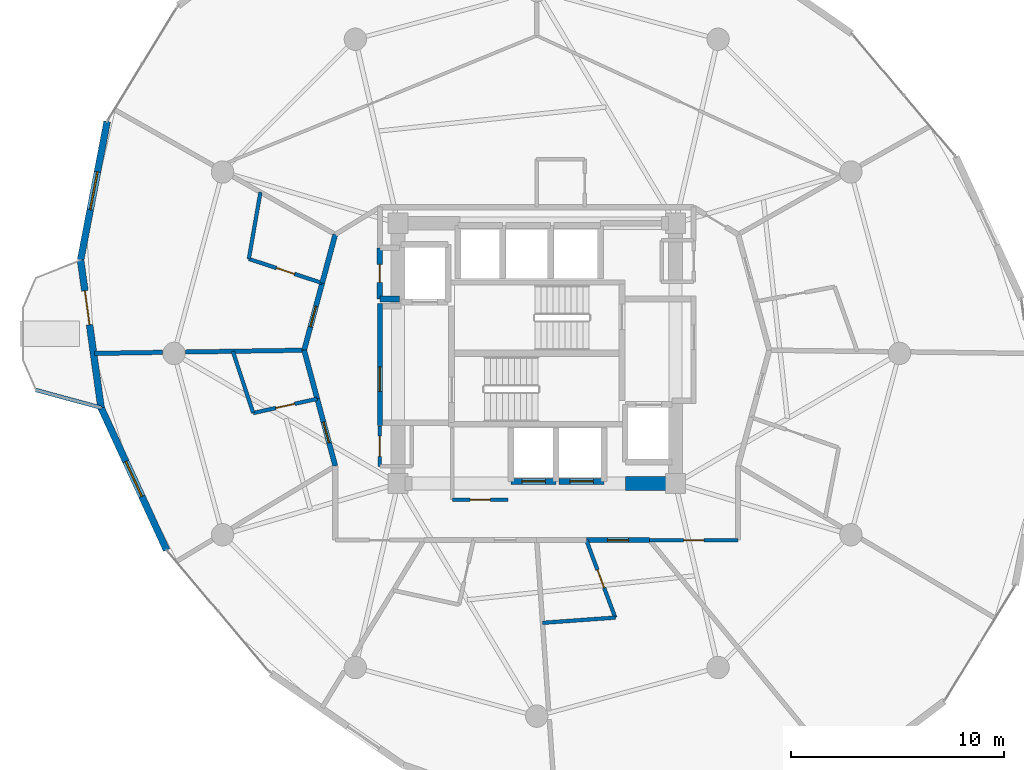
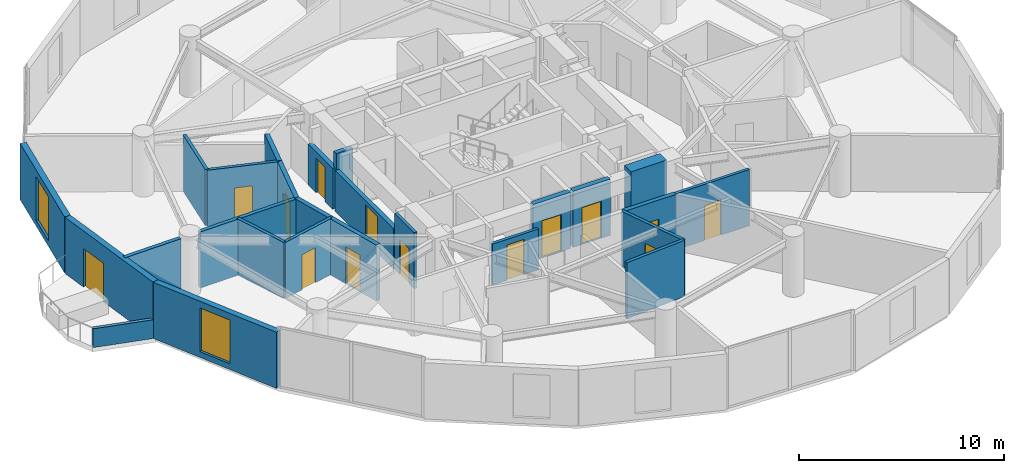
# One storey, part 18 of 23: 26 walls, 14 doors, 2 windows, 16 openings.
"""IFC4 building model written with IfcOpenShell, lengths in metres."""

from ifc_helpers import new_model, si_unit, direction, frame, frame_2d, origin, place, context, subcontext, project, spatial, rectangle, extrude, material, layer, layer_set, type_object, element, fill, save


model = new_model("IFC4")

# Units and contexts
model_context = context("Model", 3, precision=1e-05, world=origin(), true_north=direction((0.0, 1.0)))
body_context = subcontext(model_context, "Body", "Model", "MODEL_VIEW")
ifc_project = project(units=[si_unit("LENGTHUNIT", "METRE"), si_unit("AREAUNIT", "SQUARE_METRE"), si_unit("VOLUMEUNIT", "CUBIC_METRE"), si_unit("PLANEANGLEUNIT", "RADIAN"), si_unit("MASSUNIT", "GRAM", prefix="KILO")], contexts=[model_context])

# Site, building, storey
site_placement = place(None, origin())
site = spatial("IfcSite", under=ifc_project, at=site_placement, CompositionType="ELEMENT")
building_placement = place(site_placement, origin())
building = spatial("IfcBuilding", under=site, at=building_placement, Name="Solvirekh Grand Hotel", CompositionType="ELEMENT")
storey_placement = place(building_placement, frame((0.0, 0.0, 138.60009765625)))
storey = spatial("IfcBuildingStorey", under=building, at=storey_placement, Name="L35", CompositionType="ELEMENT", Elevation=138.60009765625)

# Wall, opening, door
ifc_material_1 = material(Name="Concrete C40/50", Category="concrete")
ifc_layer_1 = layer(ifc_material_1, 0.280029296875)
ifc_layer_set_1 = layer_set([ifc_layer_1], Name="Concrete C40/50")
wall_type_1 = type_object("IfcWallType", Name="CoreShaftWall_RC280", PredefinedType="SOLIDWALL", material=ifc_layer_set_1)
wall_1_placement = place(storey_placement, frame((-1.199951171875, -6.0, 0.0), z_axis=(0.0, 0.0, 1.0), x_axis=(1.0, 0.0, 0.0)))
wall_1 = element("IfcWall", 1, at=wall_1_placement, inside=storey, type_object=wall_type_1, Name="L35 MP-1 hoistway S wall", PredefinedType="SOLIDWALL", context=body_context, shape_type="SweptSolid", body=[
    extrude(rectangle(XDim=2.099853515625, YDim=0.280029296875, at=frame_2d((1.0498046875, 0.0))), origin(), (0.0, 0.0, 1.0), 3.349853515625),
])
opening_1_placement = place(wall_1_placement, frame((0.5, 0.0, 0.0)))
opening_1 = element("IfcOpeningElement", 2, at=opening_1_placement, cuts=wall_1, Name="Opening LD01", PredefinedType="OPENING", context=body_context, shape_type="SweptSolid", body=[
    extrude(rectangle(XDim=1.10009765625, YDim=2.199951171875, at=frame_2d((0.550048828125, 1.10009765625))), frame((0.0, 0.14990234375, 0.0), z_axis=(0.0, -1.0, 0.0), x_axis=(1.0, 0.0, 0.0)), (0.0, 0.0, 1.0), 0.300048828125),
])
ifc_material_2 = material(Name="Fire-Rated Steel Door Assembly", Category="steel")
door_type_1 = type_object("IfcDoorType", Name="Door_LiftLanding_1100X2200", OperationType="SLIDING_TO_LEFT", PredefinedType="DOOR", material=ifc_material_2)
door_1_placement = place(opening_1_placement, origin())
door_1 = element("IfcDoor", 3, at=door_1_placement, inside=storey, type_object=door_type_1, Name="L35 MP-1 sliding lift landing door", OperationType="SLIDING_TO_LEFT", OverallHeight=2.199951171875, OverallWidth=1.10009765625, PredefinedType="DOOR", context=body_context, shape_type="SweptSolid", body=[
    extrude(rectangle(XDim=1.10009765625, YDim=2.199951171875, at=frame_2d((0.550048828125, 1.10009765625))), frame((0.0, 0.02490234375, 0.0), z_axis=(0.0, -1.0, 0.0), x_axis=(1.0, 0.0, 0.0)), (0.0, 0.0, 1.0), 0.050048828125),
])
fill(opening_1, door_1)

wall_2_placement = place(storey_placement, frame((1.050048828125, -6.0, 0.0), z_axis=(0.0, 0.0, 1.0), x_axis=(1.0, 0.0, 0.0)))
wall_2 = element("IfcWall", 4, at=wall_2_placement, inside=storey, type_object=wall_type_1, Name="L35 MP-2 hoistway S wall", PredefinedType="SOLIDWALL", context=body_context, shape_type="SweptSolid", body=[
    extrude(rectangle(XDim=2.099853515625, YDim=0.280029296875, at=frame_2d((1.0498046875, 0.0))), origin(), (0.0, 0.0, 1.0), 3.349853515625),
])
opening_2_placement = place(wall_2_placement, frame((0.5, 0.0, 0.0)))
opening_2 = element("IfcOpeningElement", 5, at=opening_2_placement, cuts=wall_2, Name="Opening LD01", PredefinedType="OPENING", context=body_context, shape_type="SweptSolid", body=[
    extrude(rectangle(XDim=1.10009765625, YDim=2.199951171875, at=frame_2d((0.550048828125, 1.10009765625))), frame((0.0, 0.14990234375, 0.0), z_axis=(0.0, -1.0, 0.0), x_axis=(1.0, 0.0, 0.0)), (0.0, 0.0, 1.0), 0.300048828125),
])
door_2_placement = place(opening_2_placement, origin())
door_2 = element("IfcDoor", 6, at=door_2_placement, inside=storey, type_object=door_type_1, Name="L35 MP-2 sliding lift landing door", OperationType="SLIDING_TO_LEFT", OverallHeight=2.199951171875, OverallWidth=1.10009765625, PredefinedType="DOOR", context=body_context, shape_type="SweptSolid", body=[
    extrude(rectangle(XDim=1.10009765625, YDim=2.199951171875, at=frame_2d((0.550048828125, 1.10009765625))), frame((0.0, 0.02490234375, 0.0), z_axis=(0.0, -1.0, 0.0), x_axis=(1.0, 0.0, 0.0)), (0.0, 0.0, 1.0), 0.050048828125),
])
fill(opening_2, door_2)

# Wall
ifc_material_3 = material(Name="Concrete C50/60", Category="concrete")
ifc_layer_2 = layer(ifc_material_3, 0.64990234375)
ifc_layer_set_2 = layer_set([ifc_layer_2], Name="Concrete C50/60")
wall_type_2 = type_object("IfcWallType", Name="CoreWall_RC650", PredefinedType="SHEAR", material=ifc_layer_set_2)
wall_3_placement = place(storey_placement, frame((4.14990234375, -6.10009765625, 0.0), z_axis=(0.0, 0.0, 1.0), x_axis=(1.0, 0.0, 0.0)))
element("IfcWall", 7, at=wall_3_placement, inside=storey, type_object=wall_type_2, Name="L35 core corner shear wall SE-S", PredefinedType="SHEAR", context=body_context, shape_type="SweptSolid", body=[
    extrude(rectangle(XDim=2.025146484375, YDim=0.64990234375, at=frame_2d((1.0126953125, 0.0))), origin(), (0.0, 0.0, 1.0), 3.599853515625),
])

# Wall, opening, window
ifc_material_4 = material(Name="Precast concrete C45/55", Category="concrete")
ifc_layer_3 = layer(ifc_material_4, 0.320068359375)
ifc_layer_set_3 = layer_set([ifc_layer_3], Name="Precast concrete C45/55")
wall_type_3 = type_object("IfcWallType", Name="ExtLobbyWall_RC320", PredefinedType="SOLIDWALL", material=ifc_layer_set_3)
wall_4_placement = place(storey_placement, frame((-21.3759765625, 4.3759765625, 0.0), z_axis=(0.0, 0.0, 1.0), x_axis=(0.188236683123, 0.982123694413, 0.0)))
wall_4 = element("IfcWall", 8, at=wall_4_placement, inside=storey, type_object=wall_type_3, Name="L35 exterior structural wall chord 12", PredefinedType="SOLIDWALL", context=body_context, shape_type="SweptSolid", body=[
    extrude(rectangle(XDim=6.61328125, YDim=0.320068359375, at=frame_2d((3.306640625, 0.0))), origin(), (0.0, 0.0, 1.0), 3.349853515625),
])
opening_3_placement = place(wall_4_placement, frame((2.406982421875, 0.0, 0.35009765625)))
opening_3 = element("IfcOpeningElement", 9, at=opening_3_placement, cuts=wall_4, Name="Opening W02", PredefinedType="OPENING", context=body_context, shape_type="SweptSolid", body=[
    extrude(rectangle(XDim=1.800048828125, YDim=2.60009765625, at=frame_2d((0.89990234375, 1.300048828125))), frame((0.0, 0.169921875, 0.0), z_axis=(0.0, -1.0, 0.0), x_axis=(1.0, 0.0, 0.0)), (0.0, 0.0, 1.0), 0.340087890625),
])
ifc_material_5 = material(Name="Low-E Tinted Bronze Laminated Glass", Category="aluminium")
window_type = type_object("IfcWindowType", Name="Win_LobbyExt_1800X2600", PartitioningType="SINGLE_PANEL", PredefinedType="WINDOW", material=ifc_material_5)
window_1_placement = place(opening_3_placement, origin())
window_1 = element("IfcWindow", 10, at=window_1_placement, inside=storey, type_object=window_type, Name="L35 panoramic bronze-framed window 12", OverallHeight=2.60009765625, OverallWidth=1.800048828125, PartitioningType="SINGLE_PANEL", PredefinedType="WINDOW", context=body_context, shape_type="SweptSolid", body=[
    extrude(rectangle(XDim=1.800048828125, YDim=2.60009765625, at=frame_2d((0.89990234375, 1.300048828125))), frame((0.0, 0.030029296875, 0.0), z_axis=(0.0, -1.0, 0.0), x_axis=(1.0, 0.0, 0.0)), (0.0, 0.0, 1.0), 0.06005859375),
])
fill(opening_3, window_1)

# Wall, opening, door
wall_5_placement = place(storey_placement, frame((-20.416015625, -2.547119140625, 0.0), z_axis=(0.0, 0.0, 1.0), x_axis=(-0.13734656866, 0.990523053784, 0.0)))
wall_5 = element("IfcWall", 11, at=wall_5_placement, inside=storey, type_object=wall_type_3, Name="L35 exterior structural wall chord 13", PredefinedType="SOLIDWALL", context=body_context, shape_type="SweptSolid", body=[
    extrude(rectangle(XDim=6.9892578125, YDim=0.320068359375, at=frame_2d((3.49462890625, 0.0))), origin(), (0.0, 0.0, 1.0), 3.349853515625),
])
opening_4_placement = place(wall_5_placement, frame((3.927978515625, 0.0, 0.0)))
opening_4 = element("IfcOpeningElement", 12, at=opening_4_placement, cuts=wall_5, Name="Opening D04", PredefinedType="OPENING", context=body_context, shape_type="SweptSolid", body=[
    extrude(rectangle(XDim=1.60009765625, YDim=2.300048828125, at=frame_2d((0.800048828125, 1.14990234375))), frame((0.0, 0.169921875, 0.0), z_axis=(0.0, -1.0, 0.0), x_axis=(1.0, 0.0, 0.0)), (0.0, 0.0, 1.0), 0.340087890625),
])
ifc_material_6 = material(Name="Anodized Bronze Aluminium 6063-T6", Category="aluminium")
door_type_2 = type_object("IfcDoorType", Name="Door_ExtTerrace_1600X2300", OperationType="NOTDEFINED", PredefinedType="DOOR", material=ifc_material_6)
door_3_placement = place(opening_4_placement, origin())
door_3 = element("IfcDoor", 13, at=door_3_placement, inside=storey, type_object=door_type_2, Name="L35 West horn sky-garden terrace door (13)", OperationType="SINGLE_SWING_RIGHT", OverallHeight=2.300048828125, OverallWidth=1.60009765625, PredefinedType="DOOR", context=body_context, shape_type="SweptSolid", body=[
    extrude(rectangle(XDim=1.60009765625, YDim=2.300048828125, at=frame_2d((0.800048828125, 1.14990234375))), frame((0.0, 0.02490234375, 0.0), z_axis=(0.0, -1.0, 0.0), x_axis=(1.0, 0.0, 0.0)), (0.0, 0.0, 1.0), 0.050048828125),
])
fill(opening_4, door_3)

# Wall, opening, window
wall_6_placement = place(storey_placement, frame((-17.343994140625, -9.220947265625, 0.0), z_axis=(0.0, 0.0, 1.0), x_axis=(-0.4181370769, 0.90838394136, 0.0)))
wall_6 = element("IfcWall", 14, at=wall_6_placement, inside=storey, type_object=wall_type_3, Name="L35 exterior structural wall chord 14", PredefinedType="SOLIDWALL", context=body_context, shape_type="SweptSolid", body=[
    extrude(rectangle(XDim=7.346923828125, YDim=0.320068359375, at=frame_2d((3.67333984375, 0.0))), origin(), (0.0, 0.0, 1.0), 3.349853515625),
])
opening_5_placement = place(wall_6_placement, frame((2.77392578125, 0.0, 0.35009765625)))
opening_5 = element("IfcOpeningElement", 15, at=opening_5_placement, cuts=wall_6, Name="Opening W02", PredefinedType="OPENING", context=body_context, shape_type="SweptSolid", body=[
    extrude(rectangle(XDim=1.800048828125, YDim=2.60009765625, at=frame_2d((0.89990234375, 1.300048828125))), frame((0.0, 0.169921875, 0.0), z_axis=(0.0, -1.0, 0.0), x_axis=(1.0, 0.0, 0.0)), (0.0, 0.0, 1.0), 0.340087890625),
])
window_2_placement = place(opening_5_placement, origin())
window_2 = element("IfcWindow", 16, at=window_2_placement, inside=storey, type_object=window_type, Name="L35 panoramic bronze-framed window 14", OverallHeight=2.60009765625, OverallWidth=1.800048828125, PartitioningType="SINGLE_PANEL", PredefinedType="WINDOW", context=body_context, shape_type="SweptSolid", body=[
    extrude(rectangle(XDim=1.800048828125, YDim=2.60009765625, at=frame_2d((0.89990234375, 1.300048828125))), frame((0.0, 0.030029296875, 0.0), z_axis=(0.0, -1.0, 0.0), x_axis=(1.0, 0.0, 0.0)), (0.0, 0.0, 1.0), 0.06005859375),
])
fill(opening_5, window_2)

# Wall
ifc_layer_4 = layer(ifc_material_4, 0.179931640625)
ifc_layer_set_4 = layer_set([ifc_layer_4], Name="Precast concrete C45/55")
wall_type_4 = type_object("IfcWallType", Name="ExtPlanterWall_180", PredefinedType="PARAPET", material=ifc_layer_set_4)
wall_7_placement = place(storey_placement, frame((-23.47607421875, -1.716064453125, 0.0), z_axis=(0.0, 0.0, 1.0), x_axis=(0.965044004426, -0.262087904186, 0.0)))
element("IfcWall", 17, at=wall_7_placement, inside=storey, type_object=wall_type_4, Name="L35 horn sky-garden planter parapet", PredefinedType="PARAPET", context=body_context, shape_type="SweptSolid", body=[
    extrude(rectangle(XDim=3.1708984375, YDim=0.179931640625, at=frame_2d((1.58544921875, 0.0))), origin(), (0.0, 0.0, 1.0), 1.119873046875),
])

# Wall, opening, door
ifc_material_7 = material(Name="Acoustic Gypsum Partition Assembly")
ifc_layer_5 = layer(ifc_material_7, 0.1650390625)
ifc_layer_set_5 = layer_set([ifc_layer_5], Name="Acoustic Gypsum Partition Assembly")
wall_type_5 = type_object("IfcWallType", Name="Part_BOH_165", PredefinedType="PARTITIONING", material=ifc_layer_set_5)
wall_8_placement = place(storey_placement, frame((-7.35009765625, -3.39990234375, 0.0), z_axis=(0.0, 0.0, 1.0), x_axis=(0.0, -1.0, 0.0)))
wall_8 = element("IfcWall", 18, at=wall_8_placement, inside=storey, type_object=wall_type_5, Name="L35 L35 Butler Service Closet wall 4", PredefinedType="PARTITIONING", context=body_context, shape_type="SweptSolid", body=[
    extrude(rectangle(XDim=1.900146484375, YDim=0.1650390625, at=frame_2d((0.9501953125, 0.0))), origin(), (0.0, 0.0, 1.0), 3.349853515625),
])
opening_6_placement = place(wall_8_placement, frame((0.47509765625, 0.0, 0.0)))
opening_6 = element("IfcOpeningElement", 19, at=opening_6_placement, cuts=wall_8, Name="Opening D10", PredefinedType="OPENING", context=body_context, shape_type="SweptSolid", body=[
    extrude(rectangle(XDim=0.949951171875, YDim=2.10009765625, at=frame_2d((0.47509765625, 1.050048828125))), frame((0.0, 0.092529296875, 0.0), z_axis=(0.0, -1.0, 0.0), x_axis=(1.0, 0.0, 0.0)), (0.0, 0.0, 1.0), 0.18505859375),
])
door_type_3 = type_object("IfcDoorType", Name="Door_RoomInt_950X2100", OperationType="NOTDEFINED", PredefinedType="DOOR", material=ifc_material_6)
door_4_placement = place(opening_6_placement, origin())
door_4 = element("IfcDoor", 20, at=door_4_placement, inside=storey, type_object=door_type_3, Name="L35 L35 Butler Service Closet door", OperationType="SINGLE_SWING_LEFT", OverallHeight=2.10009765625, OverallWidth=0.949951171875, PredefinedType="DOOR", context=body_context, shape_type="SweptSolid", body=[
    extrude(rectangle(XDim=0.949951171875, YDim=2.10009765625, at=frame_2d((0.47509765625, 1.050048828125))), frame((0.0, 0.02490234375, 0.0), z_axis=(0.0, -1.0, 0.0), x_axis=(1.0, 0.0, 0.0)), (0.0, 0.0, 1.0), 0.050048828125),
])
fill(opening_6, door_4)

wall_9_placement = place(storey_placement, frame((-3.949951171875, -6.85009765625, 0.0), z_axis=(0.0, 0.0, 1.0), x_axis=(1.0, 0.0, 0.0)))
wall_9 = element("IfcWall", 21, at=wall_9_placement, inside=storey, type_object=wall_type_5, Name="L35 Mid-Zone Housekeeping Room wall 1", PredefinedType="PARTITIONING", context=body_context, shape_type="SweptSolid", body=[
    extrude(rectangle(XDim=2.599853515625, YDim=0.1650390625, at=frame_2d((1.2998046875, 0.0))), origin(), (0.0, 0.0, 1.0), 2.434814453125),
])
opening_7_placement = place(wall_9_placement, frame((0.824951171875, 0.0, 0.0)))
opening_7 = element("IfcOpeningElement", 22, at=opening_7_placement, cuts=wall_9, Name="Opening D10", PredefinedType="OPENING", context=body_context, shape_type="SweptSolid", body=[
    extrude(rectangle(XDim=0.949951171875, YDim=2.10009765625, at=frame_2d((0.47509765625, 1.050048828125))), frame((0.0, 0.092529296875, 0.0), z_axis=(0.0, -1.0, 0.0), x_axis=(1.0, 0.0, 0.0)), (0.0, 0.0, 1.0), 0.18505859375),
])
door_5_placement = place(opening_7_placement, origin())
door_5 = element("IfcDoor", 23, at=door_5_placement, inside=storey, type_object=door_type_3, Name="L35 Mid-Zone Housekeeping Room door", OperationType="SINGLE_SWING_LEFT", OverallHeight=2.10009765625, OverallWidth=0.949951171875, PredefinedType="DOOR", context=body_context, shape_type="SweptSolid", body=[
    extrude(rectangle(XDim=0.949951171875, YDim=2.10009765625, at=frame_2d((0.47509765625, 1.050048828125))), frame((0.0, 0.02490234375, 0.0), z_axis=(0.0, -1.0, 0.0), x_axis=(1.0, 0.0, 0.0)), (0.0, 0.0, 1.0), 0.050048828125),
])
fill(opening_7, door_5)

wall_10_placement = place(storey_placement, frame((5.285888671875, -8.75, 0.0), z_axis=(0.0, 0.0, 1.0), x_axis=(1.0, 0.0, 0.0)))
wall_10 = element("IfcWall", 24, at=wall_10_placement, inside=storey, type_object=wall_type_5, Name="L35 L35 Butler Valet & Linen Steward Room entrance wall", PredefinedType="PARTITIONING", context=body_context, shape_type="SweptSolid", body=[
    extrude(rectangle(XDim=4.154052734375, YDim=0.1650390625, at=frame_2d((2.0771484375, 0.0))), origin(), (0.0, 0.0, 1.0), 3.349853515625),
])
opening_8_placement = place(wall_10_placement, frame((1.60205078125, 0.0, 0.0)))
opening_8 = element("IfcOpeningElement", 25, at=opening_8_placement, cuts=wall_10, Name="Opening D10", PredefinedType="OPENING", context=body_context, shape_type="SweptSolid", body=[
    extrude(rectangle(XDim=0.949951171875, YDim=2.10009765625, at=frame_2d((0.47509765625, 1.050048828125))), frame((0.0, 0.092529296875, 0.0), z_axis=(0.0, -1.0, 0.0), x_axis=(1.0, 0.0, 0.0)), (0.0, 0.0, 1.0), 0.18505859375),
])
door_6_placement = place(opening_8_placement, origin())
door_6 = element("IfcDoor", 26, at=door_6_placement, inside=storey, type_object=door_type_3, Name="L35 L35 Butler Valet & Linen Steward Room entrance door", OperationType="SINGLE_SWING_LEFT", OverallHeight=2.10009765625, OverallWidth=0.949951171875, PredefinedType="DOOR", context=body_context, shape_type="SweptSolid", body=[
    extrude(rectangle(XDim=0.949951171875, YDim=2.10009765625, at=frame_2d((0.47509765625, 1.050048828125))), frame((0.0, 0.02490234375, 0.0), z_axis=(0.0, -1.0, 0.0), x_axis=(1.0, 0.0, 0.0)), (0.0, 0.0, 1.0), 0.050048828125),
])
fill(opening_8, door_6)

ifc_layer_6 = layer(ifc_material_7, 0.239990234375)
ifc_layer_set_6 = layer_set([ifc_layer_6], Name="Acoustic Gypsum Partition Assembly")
wall_type_6 = type_object("IfcWallType", Name="Part_Corridor_240", PredefinedType="PARTITIONING", material=ifc_layer_set_6)
wall_11_placement = place(storey_placement, frame((-7.35009765625, -3.3798828125, 0.0), z_axis=(0.0, 0.0, 1.0), x_axis=(0.0, 1.0, 0.0)))
wall_11 = element("IfcWall", 27, at=wall_11_placement, inside=storey, type_object=wall_type_6, Name="L35 west firefighting lobby smoke screen wall", PredefinedType="PARTITIONING", context=body_context, shape_type="SweptSolid", body=[
    extrude(rectangle(XDim=5.719970703125, YDim=0.239990234375, at=frame_2d((2.85986328125, 0.0))), origin(), (0.0, 0.0, 1.0), 2.434814453125),
])
opening_9_placement = place(wall_11_placement, frame((1.59912109375, 0.0, 0.0)))
opening_9 = element("IfcOpeningElement", 28, at=opening_9_placement, cuts=wall_11, Name="Opening D06", PredefinedType="OPENING", context=body_context, shape_type="SweptSolid", body=[
    extrude(rectangle(XDim=1.14990234375, YDim=2.199951171875, at=frame_2d((0.574951171875, 1.10009765625))), frame((0.0, 0.1298828125, 0.0), z_axis=(0.0, -1.0, 0.0), x_axis=(1.0, 0.0, 0.0)), (0.0, 0.0, 1.0), 0.260009765625),
])
door_type_4 = type_object("IfcDoorType", Name="Door_FFLobby_1150X2200", OperationType="NOTDEFINED", PredefinedType="DOOR", material=ifc_material_2)
door_7_placement = place(opening_9_placement, origin())
door_7 = element("IfcDoor", 29, at=door_7_placement, inside=storey, type_object=door_type_4, Name="L35 west firefighting lobby smoke door", OperationType="SINGLE_SWING_RIGHT", OverallHeight=2.199951171875, OverallWidth=1.14990234375, PredefinedType="DOOR", context=body_context, shape_type="SweptSolid", body=[
    extrude(rectangle(XDim=1.14990234375, YDim=2.199951171875, at=frame_2d((0.574951171875, 1.10009765625))), frame((0.0, 0.02490234375, 0.0), z_axis=(0.0, -1.0, 0.0), x_axis=(1.0, 0.0, 0.0)), (0.0, 0.0, 1.0), 0.050048828125),
])
fill(opening_9, door_7)

# Wall
wall_12_placement = place(storey_placement, frame((-9.43994140625, 5.574951171875, 0.0), z_axis=(0.0, 0.0, 1.0), x_axis=(-0.25988439237, -0.965639737481, 0.0)))
element("IfcWall", 30, at=wall_12_placement, inside=storey, type_object=wall_type_6, Name="L35 En-suite Bathroom 3702 corridor backing wall", PredefinedType="PARTITIONING", context=body_context, shape_type="SweptSolid", body=[
    extrude(rectangle(XDim=2.35888671875, YDim=0.239990234375, at=frame_2d((1.179443359375, 0.0))), origin(), (0.0, 0.0, 1.0), 3.349853515625),
])

# Wall, opening, door
wall_13_placement = place(storey_placement, frame((-10.052978515625, 3.297119140625, 0.0), z_axis=(0.0, 0.0, 1.0), x_axis=(-0.25985795735, -0.965646851598, 0.0)))
wall_13 = element("IfcWall", 31, at=wall_13_placement, inside=storey, type_object=wall_type_6, Name="L35 Deluxe Guestroom 3702 entrance wall", PredefinedType="PARTITIONING", context=body_context, shape_type="SweptSolid", body=[
    extrude(rectangle(XDim=3.25927734375, YDim=0.239990234375, at=frame_2d((1.629638671875, 0.0))), origin(), (0.0, 0.0, 1.0), 3.349853515625),
])
opening_10_placement = place(wall_13_placement, frame((1.12890625, 0.0, 0.0)))
opening_10 = element("IfcOpeningElement", 32, at=opening_10_placement, cuts=wall_13, Name="Opening D07", PredefinedType="OPENING", context=body_context, shape_type="SweptSolid", body=[
    extrude(rectangle(XDim=1.0, YDim=2.199951171875, at=frame_2d((0.5, 1.10009765625))), frame((0.0, 0.1298828125, 0.0), z_axis=(0.0, -1.0, 0.0), x_axis=(1.0, 0.0, 0.0)), (0.0, 0.0, 1.0), 0.260009765625),
])
door_type_5 = type_object("IfcDoorType", Name="Door_GuestEntry_1000X2200", OperationType="NOTDEFINED", PredefinedType="DOOR", material=ifc_material_2)
door_8_placement = place(opening_10_placement, origin())
door_8 = element("IfcDoor", 33, at=door_8_placement, inside=storey, type_object=door_type_5, Name="L35 Deluxe Guestroom 3702 entrance door", OperationType="SINGLE_SWING_LEFT", OverallHeight=2.199951171875, OverallWidth=1.0, PredefinedType="DOOR", context=body_context, shape_type="SweptSolid", body=[
    extrude(rectangle(XDim=1.0, YDim=2.199951171875, at=frame_2d((0.5, 1.10009765625))), frame((0.0, 0.02490234375, 0.0), z_axis=(0.0, -1.0, 0.0), x_axis=(1.0, 0.0, 0.0)), (0.0, 0.0, 1.0), 0.050048828125),
])
fill(opening_10, door_8)

# Wall
wall_14_placement = place(storey_placement, frame((-10.89990234375, 0.14990234375, 0.0), z_axis=(0.0, 0.0, 1.0), x_axis=(0.259684059781, -0.965693631073, 0.0)))
element("IfcWall", 34, at=wall_14_placement, inside=storey, type_object=wall_type_6, Name="L35 En-suite Bathroom 3703 corridor backing wall", PredefinedType="PARTITIONING", context=body_context, shape_type="SweptSolid", body=[
    extrude(rectangle(XDim=2.35986328125, YDim=0.239990234375, at=frame_2d((1.179931640625, 0.0))), origin(), (0.0, 0.0, 1.0), 3.349853515625),
])

# Wall, opening, door
wall_15_placement = place(storey_placement, frame((-10.287109375, -2.12890625, 0.0), z_axis=(0.0, 0.0, 1.0), x_axis=(0.260021844471, -0.965602734253, 0.0)))
wall_15 = element("IfcWall", 35, at=wall_15_placement, inside=storey, type_object=wall_type_6, Name="L35 Deluxe Guestroom 3703 entrance wall", PredefinedType="PARTITIONING", context=body_context, shape_type="SweptSolid", body=[
    extrude(rectangle(XDim=3.258056640625, YDim=0.239990234375, at=frame_2d((1.62890625, 0.0))), origin(), (0.0, 0.0, 1.0), 3.349853515625),
])
opening_11_placement = place(wall_15_placement, frame((1.12890625, 0.0, 0.0)))
opening_11 = element("IfcOpeningElement", 36, at=opening_11_placement, cuts=wall_15, Name="Opening D07", PredefinedType="OPENING", context=body_context, shape_type="SweptSolid", body=[
    extrude(rectangle(XDim=1.0, YDim=2.199951171875, at=frame_2d((0.5, 1.10009765625))), frame((0.0, 0.1298828125, 0.0), z_axis=(0.0, -1.0, 0.0), x_axis=(1.0, 0.0, 0.0)), (0.0, 0.0, 1.0), 0.260009765625),
])
door_9_placement = place(opening_11_placement, origin())
door_9 = element("IfcDoor", 37, at=door_9_placement, inside=storey, type_object=door_type_5, Name="L35 Deluxe Guestroom 3703 entrance door", OperationType="SINGLE_SWING_LEFT", OverallHeight=2.199951171875, OverallWidth=1.0, PredefinedType="DOOR", context=body_context, shape_type="SweptSolid", body=[
    extrude(rectangle(XDim=1.0, YDim=2.199951171875, at=frame_2d((0.5, 1.10009765625))), frame((0.0, 0.02490234375, 0.0), z_axis=(0.0, -1.0, 0.0), x_axis=(1.0, 0.0, 0.0)), (0.0, 0.0, 1.0), 0.050048828125),
])
fill(opening_11, door_9)

wall_16_placement = place(storey_placement, frame((2.325927734375, -8.75, 0.0), z_axis=(0.0, 0.0, 1.0), x_axis=(1.0, 0.0, 0.0)))
wall_16 = element("IfcWall", 38, at=wall_16_placement, inside=storey, type_object=wall_type_6, Name="L35 Deluxe Guestroom 3707 entrance wall", PredefinedType="PARTITIONING", context=body_context, shape_type="SweptSolid", body=[
    extrude(rectangle(XDim=2.9599609375, YDim=0.239990234375, at=frame_2d((1.47998046875, 0.0))), origin(), (0.0, 0.0, 1.0), 3.349853515625),
])
opening_12_placement = place(wall_16_placement, frame((0.97998046875, 0.0, 0.0)))
opening_12 = element("IfcOpeningElement", 39, at=opening_12_placement, cuts=wall_16, Name="Opening D07", PredefinedType="OPENING", context=body_context, shape_type="SweptSolid", body=[
    extrude(rectangle(XDim=1.0, YDim=2.199951171875, at=frame_2d((0.5, 1.10009765625))), frame((0.0, 0.1298828125, 0.0), z_axis=(0.0, -1.0, 0.0), x_axis=(1.0, 0.0, 0.0)), (0.0, 0.0, 1.0), 0.260009765625),
])
door_10_placement = place(opening_12_placement, origin())
door_10 = element("IfcDoor", 40, at=door_10_placement, inside=storey, type_object=door_type_5, Name="L35 Deluxe Guestroom 3707 entrance door", OperationType="SINGLE_SWING_RIGHT", OverallHeight=2.199951171875, OverallWidth=1.0, PredefinedType="DOOR", context=body_context, shape_type="SweptSolid", body=[
    extrude(rectangle(XDim=1.0, YDim=2.199951171875, at=frame_2d((0.5, 1.10009765625))), frame((0.0, 0.02490234375, 0.0), z_axis=(0.0, -1.0, 0.0), x_axis=(1.0, 0.0, 0.0)), (0.0, 0.0, 1.0), 0.050048828125),
])
fill(opening_12, door_10)

# Wall
ifc_layer_7 = layer(ifc_material_7, 0.260009765625)
ifc_layer_set_7 = layer_set([ifc_layer_7], Name="Acoustic Gypsum Partition Assembly")
wall_type_7 = type_object("IfcWallType", Name="Part_LobbyFF_260", PredefinedType="PARTITIONING", material=ifc_layer_set_7)
wall_17_placement = place(storey_placement, frame((-7.35009765625, 2.550048828125, 0.0), z_axis=(0.0, 0.0, 1.0), x_axis=(1.0, 0.0, 0.0)))
element("IfcWall", 41, at=wall_17_placement, inside=storey, type_object=wall_type_7, Name="L35 NW telecom metering cupboard south wall", PredefinedType="PARTITIONING", context=body_context, shape_type="SweptSolid", body=[
    extrude(rectangle(XDim=0.93017578125, YDim=0.260009765625, at=frame_2d((0.465087890625, 0.0))), origin(), (0.0, 0.0, 1.0), 3.349853515625),
])

# Wall, opening, door
wall_18_placement = place(storey_placement, frame((-7.35009765625, 2.550048828125, 0.0), z_axis=(0.0, 0.0, 1.0), x_axis=(0.0, 1.0, 0.0)))
wall_18 = element("IfcWall", 42, at=wall_18_placement, inside=storey, type_object=wall_type_7, Name="L35 NW telecom metering cupboard access wall", PredefinedType="PARTITIONING", context=body_context, shape_type="SweptSolid", body=[
    extrude(rectangle(XDim=2.39990234375, YDim=0.260009765625, at=frame_2d((1.199951171875, 0.0))), origin(), (0.0, 0.0, 1.0), 2.434814453125),
])
opening_13_placement = place(wall_18_placement, frame((0.77490234375, 0.0, 0.0)))
opening_13 = element("IfcOpeningElement", 43, at=opening_13_placement, cuts=wall_18, Name="Opening D13", PredefinedType="OPENING", context=body_context, shape_type="SweptSolid", body=[
    extrude(rectangle(XDim=0.85009765625, YDim=2.050048828125, at=frame_2d((0.425048828125, 1.02490234375))), frame((0.0, 0.14013671875, 0.0), z_axis=(0.0, -1.0, 0.0), x_axis=(1.0, 0.0, 0.0)), (0.0, 0.0, 1.0), 0.280029296875),
])
door_type_6 = type_object("IfcDoorType", Name="Door_RiserShaft_850X2050", OperationType="NOTDEFINED", PredefinedType="DOOR", material=ifc_material_2)
door_11_placement = place(opening_13_placement, origin())
door_11 = element("IfcDoor", 44, at=door_11_placement, inside=storey, type_object=door_type_6, Name="L35 telecom metering cupboard access door", OperationType="SINGLE_SWING_RIGHT", OverallHeight=2.050048828125, OverallWidth=0.85009765625, PredefinedType="DOOR", context=body_context, shape_type="SweptSolid", body=[
    extrude(rectangle(XDim=0.85009765625, YDim=2.050048828125, at=frame_2d((0.425048828125, 1.02490234375))), frame((0.0, 0.02490234375, 0.0), z_axis=(0.0, -1.0, 0.0), x_axis=(1.0, 0.0, 0.0)), (0.0, 0.0, 1.0), 0.050048828125),
])
fill(opening_13, door_11)

# Walls
ifc_layer_8 = layer(ifc_material_7, 0.2099609375)
ifc_layer_set_8 = layer_set([ifc_layer_8], Name="Acoustic Gypsum Partition Assembly")
wall_type_8 = type_object("IfcWallType", Name="Part_SuiteDemise_210", PredefinedType="PARTITIONING", material=ifc_layer_set_8)
wall_19_placement = place(storey_placement, frame((-10.89990234375, 0.14990234375, 0.0), z_axis=(0.0, 0.0, 1.0), x_axis=(-0.999883231323, -0.01528148285, 0.0)))
element("IfcWall", 45, at=wall_19_placement, inside=storey, type_object=wall_type_8, Name="L35 suite radial wall 7 (A)", PredefinedType="PARTITIONING", context=body_context, shape_type="SweptSolid", body=[
    extrude(rectangle(XDim=5.559814453125, YDim=0.2099609375, at=frame_2d((2.77978515625, 0.0))), origin(), (0.0, 0.0, 1.0), 3.349853515625),
])
wall_20_placement = place(storey_placement, frame((-17.54296875, 0.049072265625, 0.0), z_axis=(0.0, 0.0, 1.0), x_axis=(-0.999881405695, -0.015400472226, 0.0)))
element("IfcWall", 46, at=wall_20_placement, inside=storey, type_object=wall_type_8, Name="L35 suite radial wall 7 (B)", PredefinedType="PARTITIONING", context=body_context, shape_type="SweptSolid", body=[
    extrude(rectangle(XDim=3.1865234375, YDim=0.2099609375, at=frame_2d((1.59326171875, 0.0))), origin(), (0.0, 0.0, 1.0), 3.349853515625),
])
ifc_layer_9 = layer(ifc_material_7, 0.175048828125)
ifc_layer_set_9 = layer_set([ifc_layer_9], Name="Acoustic Gypsum Partition Assembly")
wall_type_9 = type_object("IfcWallType", Name="Plumb_Ensuite_175", PredefinedType="PLUMBINGWALL", material=ifc_layer_set_9)
wall_21_placement = place(storey_placement, frame((-12.947021484375, 7.55810546875, 0.0), z_axis=(0.0, 0.0, 1.0), x_axis=(-0.171056041303, -0.985261300739, 0.0)))
element("IfcWall", 47, at=wall_21_placement, inside=storey, type_object=wall_type_9, Name="L35 En-suite Bathroom 3702 outer plumbing wall", PredefinedType="PLUMBINGWALL", context=body_context, shape_type="SweptSolid", body=[
    extrude(rectangle(XDim=3.179931640625, YDim=0.175048828125, at=frame_2d((1.58984375, 0.0))), origin(), (0.0, 0.0, 1.0), 3.349853515625),
])

# Wall, opening, door
wall_22_placement = place(storey_placement, frame((-10.052978515625, 3.297119140625, 0.0), z_axis=(0.0, 0.0, 1.0), x_axis=(-0.950170580303, 0.31173044177, 0.0)))
wall_22 = element("IfcWall", 48, at=wall_22_placement, inside=storey, type_object=wall_type_9, Name="L35 En-suite Bathroom 3702 entry plumbing wall", PredefinedType="PLUMBINGWALL", context=body_context, shape_type="SweptSolid", body=[
    extrude(rectangle(XDim=3.6181640625, YDim=0.175048828125, at=frame_2d((1.80908203125, 0.0))), origin(), (0.0, 0.0, 1.0), 3.349853515625),
])
opening_14_placement = place(wall_22_placement, frame((1.35888671875, 0.0, 0.0)))
opening_14 = element("IfcOpeningElement", 49, at=opening_14_placement, cuts=wall_22, Name="Opening D09", PredefinedType="OPENING", context=body_context, shape_type="SweptSolid", body=[
    extrude(rectangle(XDim=0.89990234375, YDim=2.10009765625, at=frame_2d((0.449951171875, 1.050048828125))), frame((0.0, 0.09765625, 0.0), z_axis=(0.0, -1.0, 0.0), x_axis=(1.0, 0.0, 0.0)), (0.0, 0.0, 1.0), 0.195068359375),
])
door_type_7 = type_object("IfcDoorType", Name="Door_Ensuite_900X2100", OperationType="NOTDEFINED", PredefinedType="DOOR", material=ifc_material_6)
door_12_placement = place(opening_14_placement, origin())
door_12 = element("IfcDoor", 50, at=door_12_placement, inside=storey, type_object=door_type_7, Name="L35 En-suite Bathroom 3702 door", OperationType="SINGLE_SWING_RIGHT", OverallHeight=2.10009765625, OverallWidth=0.89990234375, PredefinedType="DOOR", context=body_context, shape_type="SweptSolid", body=[
    extrude(rectangle(XDim=0.89990234375, YDim=2.10009765625, at=frame_2d((0.449951171875, 1.050048828125))), frame((0.0, 0.02490234375, 0.0), z_axis=(0.0, -1.0, 0.0), x_axis=(1.0, 0.0, 0.0)), (0.0, 0.0, 1.0), 0.050048828125),
])
fill(opening_14, door_12)

# Wall
wall_23_placement = place(storey_placement, frame((-14.241943359375, 0.09912109375, 0.0), z_axis=(0.0, 0.0, 1.0), x_axis=(0.313968220839, -0.949433492301, 0.0)))
element("IfcWall", 51, at=wall_23_placement, inside=storey, type_object=wall_type_9, Name="L35 En-suite Bathroom 3703 outer plumbing wall", PredefinedType="PLUMBINGWALL", context=body_context, shape_type="SweptSolid", body=[
    extrude(rectangle(XDim=3.048095703125, YDim=0.175048828125, at=frame_2d((1.52392578125, 0.0))), origin(), (0.0, 0.0, 1.0), 3.349853515625),
])

# Wall, opening, door
wall_24_placement = place(storey_placement, frame((-10.287109375, -2.12890625, 0.0), z_axis=(0.0, 0.0, 1.0), x_axis=(-0.976198282611, -0.216879950726, 0.0)))
wall_24 = element("IfcWall", 52, at=wall_24_placement, inside=storey, type_object=wall_type_9, Name="L35 En-suite Bathroom 3703 entry plumbing wall", PredefinedType="PLUMBINGWALL", context=body_context, shape_type="SweptSolid", body=[
    extrude(rectangle(XDim=3.07080078125, YDim=0.175048828125, at=frame_2d((1.535400390625, 0.0))), origin(), (0.0, 0.0, 1.0), 3.349853515625),
])
opening_15_placement = place(wall_24_placement, frame((1.0859375, 0.0, 0.0)))
opening_15 = element("IfcOpeningElement", 53, at=opening_15_placement, cuts=wall_24, Name="Opening D09", PredefinedType="OPENING", context=body_context, shape_type="SweptSolid", body=[
    extrude(rectangle(XDim=0.89990234375, YDim=2.10009765625, at=frame_2d((0.449951171875, 1.050048828125))), frame((0.0, 0.09765625, 0.0), z_axis=(0.0, -1.0, 0.0), x_axis=(1.0, 0.0, 0.0)), (0.0, 0.0, 1.0), 0.195068359375),
])
door_13_placement = place(opening_15_placement, origin())
door_13 = element("IfcDoor", 54, at=door_13_placement, inside=storey, type_object=door_type_7, Name="L35 En-suite Bathroom 3703 door", OperationType="SINGLE_SWING_RIGHT", OverallHeight=2.10009765625, OverallWidth=0.89990234375, PredefinedType="DOOR", context=body_context, shape_type="SweptSolid", body=[
    extrude(rectangle(XDim=0.89990234375, YDim=2.10009765625, at=frame_2d((0.449951171875, 1.050048828125))), frame((0.0, 0.02490234375, 0.0), z_axis=(0.0, -1.0, 0.0), x_axis=(1.0, 0.0, 0.0)), (0.0, 0.0, 1.0), 0.050048828125),
])
fill(opening_15, door_13)

# Wall
wall_25_placement = place(storey_placement, frame((0.27294921875, -12.62890625, 0.0), z_axis=(0.0, 0.0, 1.0), x_axis=(0.997366850658, 0.07252148101, 0.0)))
element("IfcWall", 55, at=wall_25_placement, inside=storey, type_object=wall_type_9, Name="L35 En-suite Bathroom 3707 outer plumbing wall", PredefinedType="PLUMBINGWALL", context=body_context, shape_type="SweptSolid", body=[
    extrude(rectangle(XDim=3.4169921875, YDim=0.175048828125, at=frame_2d((1.70849609375, 0.0))), origin(), (0.0, 0.0, 1.0), 3.349853515625),
])

# Wall, opening, door
wall_26_placement = place(storey_placement, frame((2.325927734375, -8.75, 0.0), z_axis=(0.0, 0.0, 1.0), x_axis=(0.349611151881, -0.936894894041, 0.0)))
wall_26 = element("IfcWall", 56, at=wall_26_placement, inside=storey, type_object=wall_type_9, Name="L35 En-suite Bathroom 3707 entry plumbing wall", PredefinedType="PLUMBINGWALL", context=body_context, shape_type="SweptSolid", body=[
    extrude(rectangle(XDim=3.875732421875, YDim=0.175048828125, at=frame_2d((1.93798828125, 0.0))), origin(), (0.0, 0.0, 1.0), 3.349853515625),
])
opening_16_placement = place(wall_26_placement, frame((1.488037109375, 0.0, 0.0)))
opening_16 = element("IfcOpeningElement", 57, at=opening_16_placement, cuts=wall_26, Name="Opening D09", PredefinedType="OPENING", context=body_context, shape_type="SweptSolid", body=[
    extrude(rectangle(XDim=0.89990234375, YDim=2.10009765625, at=frame_2d((0.449951171875, 1.050048828125))), frame((0.0, 0.09765625, 0.0), z_axis=(0.0, -1.0, 0.0), x_axis=(1.0, 0.0, 0.0)), (0.0, 0.0, 1.0), 0.195068359375),
])
door_14_placement = place(opening_16_placement, origin())
door_14 = element("IfcDoor", 58, at=door_14_placement, inside=storey, type_object=door_type_7, Name="L35 En-suite Bathroom 3707 door", OperationType="SINGLE_SWING_LEFT", OverallHeight=2.10009765625, OverallWidth=0.89990234375, PredefinedType="DOOR", context=body_context, shape_type="SweptSolid", body=[
    extrude(rectangle(XDim=0.89990234375, YDim=2.10009765625, at=frame_2d((0.449951171875, 1.050048828125))), frame((0.0, 0.02490234375, 0.0), z_axis=(0.0, -1.0, 0.0), x_axis=(1.0, 0.0, 0.0)), (0.0, 0.0, 1.0), 0.050048828125),
])
fill(opening_16, door_14)

save(model, "model.ifc")
